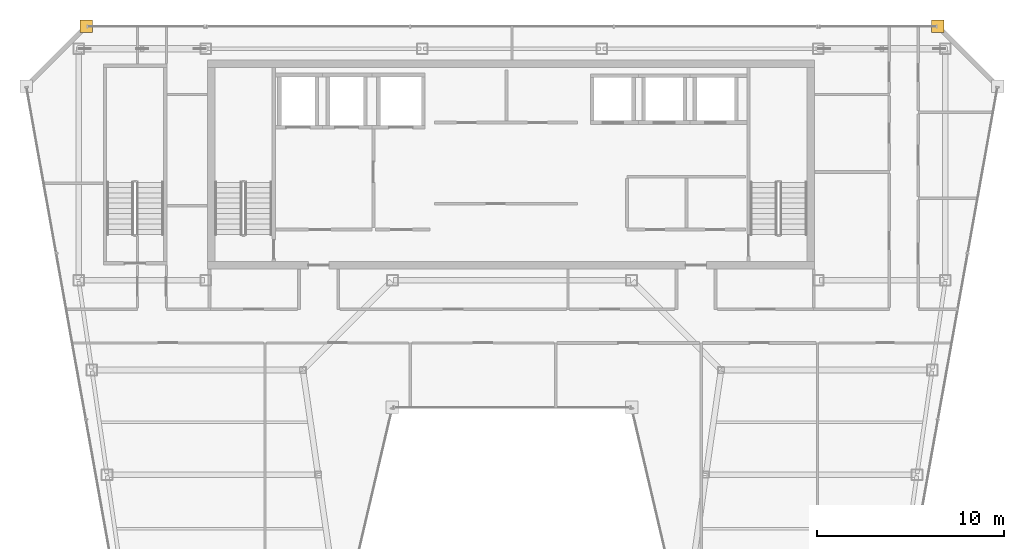
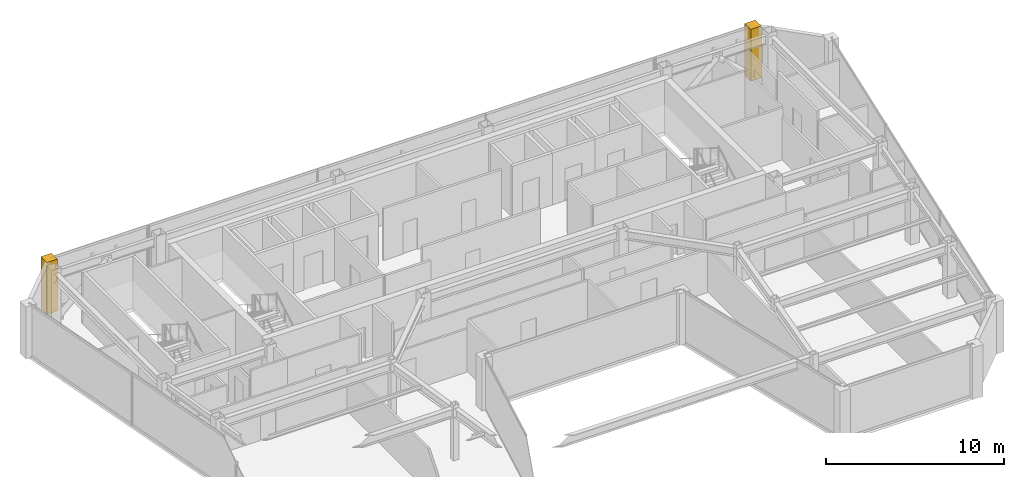
# One storey, part 32 of 32: 2 coverings.
"""IFC4 building model written with IfcOpenShell, lengths in metres."""

from ifc_helpers import new_model, si_unit, direction, frame, origin, place, context, subcontext, project, spatial, polyline, outline, extrude, material, layer, layer_set, type_object, element, save


model = new_model("IFC4")

# Units and contexts
model_context = context("Model", 3, precision=1e-05, world=origin(), true_north=direction((0.0, 1.0)))
body_context = subcontext(model_context, "Body", "Model", "MODEL_VIEW")
ifc_project = project(units=[si_unit("LENGTHUNIT", "METRE"), si_unit("AREAUNIT", "SQUARE_METRE"), si_unit("VOLUMEUNIT", "CUBIC_METRE"), si_unit("PLANEANGLEUNIT", "RADIAN"), si_unit("MASSUNIT", "GRAM", prefix="KILO")], contexts=[model_context])

# Site, building, storey
site_placement = place(None, origin())
site = spatial("IfcSite", under=ifc_project, at=site_placement, CompositionType="ELEMENT")
building_placement = place(site_placement, origin())
building = spatial("IfcBuilding", under=site, at=building_placement, Name="Saevonmaru Cultural Tower", CompositionType="ELEMENT")
storey_placement = place(building_placement, frame((0.0, 0.0, 261.0)))
storey = spatial("IfcBuildingStorey", under=building, at=storey_placement, Name="L61", CompositionType="ELEMENT", Elevation=261.0)

# Coverings
ifc_material = material(Name="Satin Bronze Anodised Aluminium", Category="aluminium")
ifc_layer = layer(ifc_material, 0.679931640625, Name="Satin Bronze Anodised Aluminium")
ifc_layer_set = layer_set([ifc_layer], Name="Satin Bronze Anodised Aluminium")
covering_type = type_object("IfcCoveringType", Name="CV-CORNER-CLAD", PredefinedType="CLADDING", material=ifc_layer_set)
covering_1_placement = place(storey_placement, origin())
element("IfcCovering", 1, at=covering_1_placement, inside=storey, type_object=covering_type, Name="L61 Tower Bronze Corner Cladding Pier 10", PredefinedType="CLADDING", context=body_context, shape_type="SweptSolid", body=[
    extrude(outline(polyline([(52.4599609375, 55.659912109375), (53.139892578125, 55.659912109375), (53.139892578125, 56.340087890625), (52.4599609375, 56.340087890625), (52.4599609375, 55.659912109375)])), origin(), (0.0, 0.0, 1.0), 3.550048828125),
])
covering_2_placement = place(storey_placement, origin())
element("IfcCovering", 2, at=covering_2_placement, inside=storey, type_object=covering_type, Name="L61 Tower Bronze Corner Cladding Pier 11", PredefinedType="CLADDING", context=body_context, shape_type="SweptSolid", body=[
    extrude(outline(polyline([(6.860107421875, 55.659912109375), (7.5400390625, 55.659912109375), (7.5400390625, 56.340087890625), (6.860107421875, 56.340087890625), (6.860107421875, 55.659912109375)])), origin(), (0.0, 0.0, 1.0), 3.550048828125),
])

save(model, "model.ifc")
